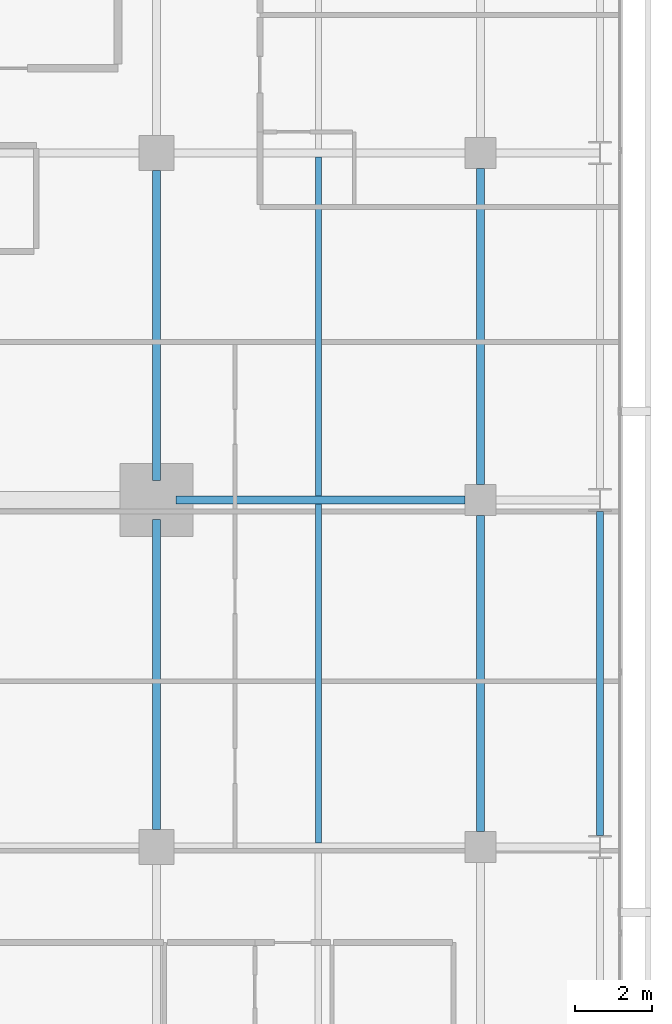
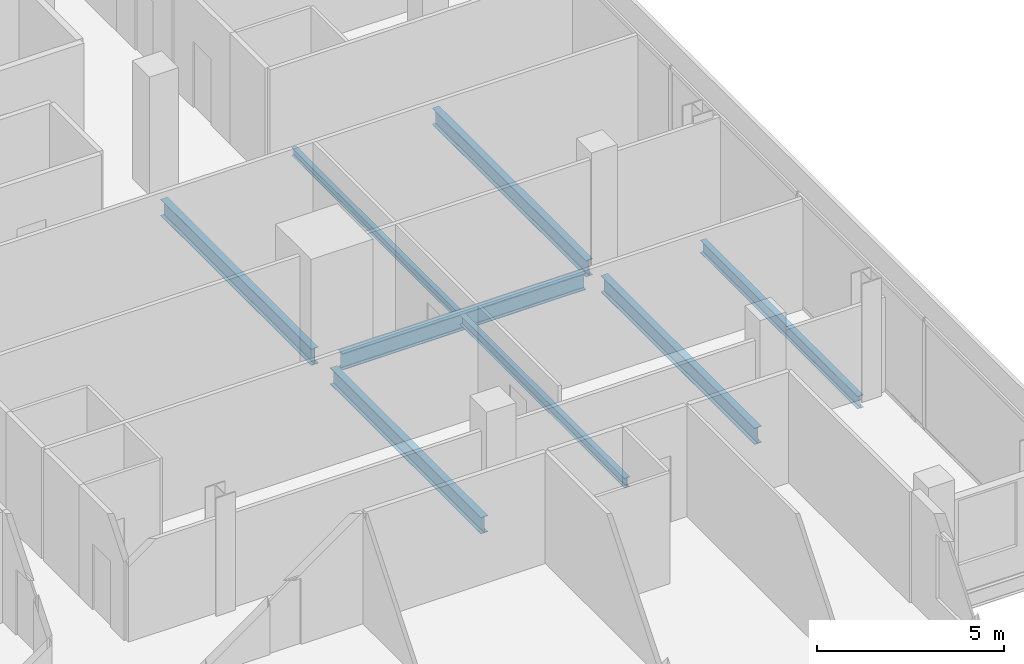
# One storey, part 16 of 34: 8 beams.
"""IFC4 building model written with IfcOpenShell, lengths in metres."""

from ifc_helpers import new_model, si_unit, direction, frame, origin, origin_2d, place, context, subcontext, project, spatial, i_section, extrude, material, material_profile, profile_set, type_object, element, save


model = new_model("IFC4")

# Units and contexts
model_context = context("Model", 3, precision=1e-05, world=origin(), true_north=direction((0.0, 1.0)))
body_context = subcontext(model_context, "Body", "Model", "MODEL_VIEW")
ifc_project = project(units=[si_unit("LENGTHUNIT", "METRE"), si_unit("AREAUNIT", "SQUARE_METRE"), si_unit("VOLUMEUNIT", "CUBIC_METRE"), si_unit("PLANEANGLEUNIT", "RADIAN"), si_unit("MASSUNIT", "GRAM", prefix="KILO")], contexts=[model_context])

# Site, building, storey
site_placement = place(None, origin())
site = spatial("IfcSite", under=ifc_project, at=site_placement, CompositionType="ELEMENT")
building_placement = place(site_placement, origin())
building = spatial("IfcBuilding", under=site, at=building_placement, Name="Maruvema Waterfront Hotel and Observation Tower", CompositionType="ELEMENT")
storey_placement = place(building_placement, frame((0.0, 0.0, 215.949951171875)))
storey = spatial("IfcBuildingStorey", under=building, at=storey_placement, Name="L53", CompositionType="ELEMENT", Elevation=215.949951171875)

# Beams
ifc_material_1 = material(Name="Steel ASTM A572 Grade 50", Category="steel")
ifc_material_profile_1 = material_profile(ifc_material_1, i_section(OverallWidth=0.178955078125, OverallDepth=0.409912109375, WebThickness=0.0087890625, FlangeThickness=0.014404296875, FilletRadius=0.014892578125, at=origin_2d()), Name="W410x67.0")
ifc_profile_set_1 = profile_set([ifc_material_profile_1], Name="Steel ASTM A572 Grade 50")
beam_type_1 = type_object("IfcBeamType", Name="Perimeter Spandrel Beam W410x67.0", PredefinedType="SPANDREL", material=ifc_profile_set_1)
beam_1_placement = place(storey_placement, frame((61.89990234375, 18.300048828125, -0.445068359375), z_axis=(0.0, 1.0, 0.0), x_axis=(-1.0, 0.0, 0.0)))
element("IfcBeam", 1, at=beam_1_placement, inside=storey, type_object=beam_type_1, Name="L53 Floor Girder NS-30", PredefinedType="SPANDREL", context=body_context, shape_type="SweptSolid", body=[
    extrude(i_section(OverallWidth=0.178955078125, OverallDepth=0.409912109375, WebThickness=0.0087890625, FlangeThickness=0.014404296875, FilletRadius=0.014892578125, at=origin_2d()), origin(), (0.0, 0.0, 1.0), 8.39990234375),
])
ifc_material_2 = material(Name="Steel ASTM A572 Grade 50", Category="steel")
ifc_material_profile_2 = material_profile(ifc_material_2, i_section(OverallWidth=0.2109375, OverallDepth=0.5390625, WebThickness=0.01171875, FlangeThickness=0.018798828125, FilletRadius=0.014892578125, at=origin_2d()), Name="W530x109.0")
ifc_profile_set_2 = profile_set([ifc_material_profile_2], Name="Steel ASTM A572 Grade 50")
beam_type_2 = type_object("IfcBeamType", Name="Primary Floor Girder W530x109.0", PredefinedType="BEAM", material=ifc_profile_set_2)
beam_2_placement = place(storey_placement, frame((50.89990234375, 27.0, -0.509521484375), z_axis=(1.0, 0.0, 0.0), x_axis=(0.0, 1.0, 0.0)))
element("IfcBeam", 2, at=beam_2_placement, inside=storey, type_object=beam_type_2, Name="L53 Floor Girder EW-21", PredefinedType="BEAM", context=body_context, shape_type="SweptSolid", body=[
    extrude(i_section(OverallWidth=0.2109375, OverallDepth=0.5390625, WebThickness=0.01171875, FlangeThickness=0.018798828125, FilletRadius=0.014892578125, at=origin_2d()), origin(), (0.0, 0.0, 1.0), 7.5),
])
for number, where, z_axis, x_axis, name in (
    (3, (50.39990234375, 18.449951171875, -0.509521484375), (0.0, 1.0, 0.0), (-1.0, 0.0, 0.0), "L53 Floor Girder NS-22"),
    (4, (50.39990234375, 27.5, -0.509521484375), (0.0, 1.0, 0.0), (-1.0, 0.0, 0.0), "L53 Floor Girder NS-23"),
):
    element("IfcBeam", number, at=place(storey_placement, frame(where, z_axis=z_axis, x_axis=x_axis)), inside=storey, type_object=beam_type_2, Name=name, PredefinedType="BEAM", context=body_context, shape_type="SweptSolid", body=[
        extrude(i_section(OverallWidth=0.2109375, OverallDepth=0.5390625, WebThickness=0.01171875, FlangeThickness=0.018798828125, FilletRadius=0.014892578125, at=origin_2d()), origin(), (0.0, 0.0, 1.0), 8.050048828125),
    ])
for number, where, z_axis, x_axis, name in (
    (5, (58.800048828125, 18.39990234375, -0.509521484375), (0.0, 1.0, 0.0), (-1.0, 0.0, 0.0), "L53 Floor Girder NS-26"),
    (6, (58.800048828125, 27.39990234375, -0.509521484375), (0.0, 1.0, 0.0), (-1.0, 0.0, 0.0), "L53 Floor Girder NS-27"),
):
    element("IfcBeam", number, at=place(storey_placement, frame(where, z_axis=z_axis, x_axis=x_axis)), inside=storey, type_object=beam_type_2, Name=name, PredefinedType="BEAM", context=body_context, shape_type="SweptSolid", body=[
        extrude(i_section(OverallWidth=0.2109375, OverallDepth=0.5390625, WebThickness=0.01171875, FlangeThickness=0.018798828125, FilletRadius=0.014892578125, at=origin_2d()), origin(), (0.0, 0.0, 1.0), 8.2001953125),
    ])
ifc_material_3 = material(Name="Steel ASTM A572 Grade 50", Category="steel")
ifc_material_profile_3 = material_profile(ifc_material_3, i_section(OverallWidth=0.14794921875, OverallDepth=0.26611328125, WebThickness=0.007568359375, FlangeThickness=0.012939453125, FilletRadius=0.012939453125, at=origin_2d()), Name="W250x44.8")
ifc_profile_set_3 = profile_set([ifc_material_profile_3], Name="Steel ASTM A572 Grade 50")
beam_type_3 = type_object("IfcBeamType", Name="Secondary Floor Joist W250x44.8", PredefinedType="JOIST", material=ifc_profile_set_3)
beam_3_placement = place(storey_placement, frame((54.60009765625, 27.10546875, -0.373046875), z_axis=(0.0, 1.0, 0.0), x_axis=(-1.0, 0.0, 0.0)))
element("IfcBeam", 7, at=beam_3_placement, inside=storey, type_object=beam_type_3, Name="L53 Secondary Floor Joist JS-13", PredefinedType="JOIST", context=body_context, shape_type="SweptSolid", body=[
    extrude(i_section(OverallWidth=0.14794921875, OverallDepth=0.26611328125, WebThickness=0.007568359375, FlangeThickness=0.012939453125, FilletRadius=0.012939453125, at=origin_2d()), origin(), (0.0, 0.0, 1.0), 8.7890625),
])
ifc_material_4 = material(Name="Steel ASTM A572 Grade 50", Category="steel")
ifc_material_profile_4 = material_profile(ifc_material_4, i_section(OverallWidth=0.1650390625, OverallDepth=0.31005859375, WebThickness=0.005859375, FlangeThickness=0.009765625, FilletRadius=0.012939453125, at=origin_2d()), Name="W310x38.7")
ifc_profile_set_4 = profile_set([ifc_material_profile_4], Name="Steel ASTM A572 Grade 50")
beam_type_4 = type_object("IfcBeamType", Name="Secondary Floor Joist W310x38.7", PredefinedType="JOIST", material=ifc_profile_set_4)
beam_4_placement = place(storey_placement, frame((54.60009765625, 18.10546875, -0.39501953125), z_axis=(0.0, 1.0, 0.0), x_axis=(-1.0, 0.0, 0.0)))
element("IfcBeam", 8, at=beam_4_placement, inside=storey, type_object=beam_type_4, Name="L53 Secondary Floor Joist JS-12", PredefinedType="JOIST", context=body_context, shape_type="SweptSolid", body=[
    extrude(i_section(OverallWidth=0.1650390625, OverallDepth=0.31005859375, WebThickness=0.005859375, FlangeThickness=0.009765625, FilletRadius=0.012939453125, at=origin_2d()), origin(), (0.0, 0.0, 1.0), 8.7890625),
])

save(model, "model.ifc")
